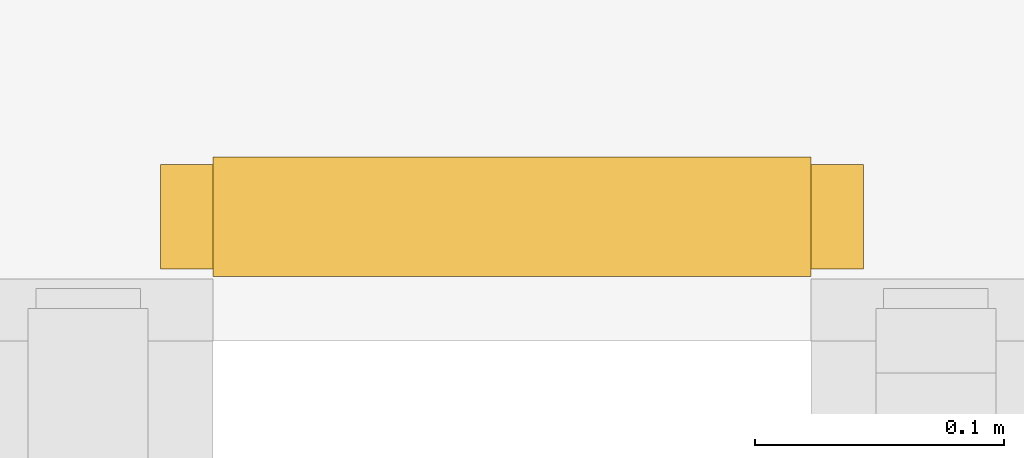
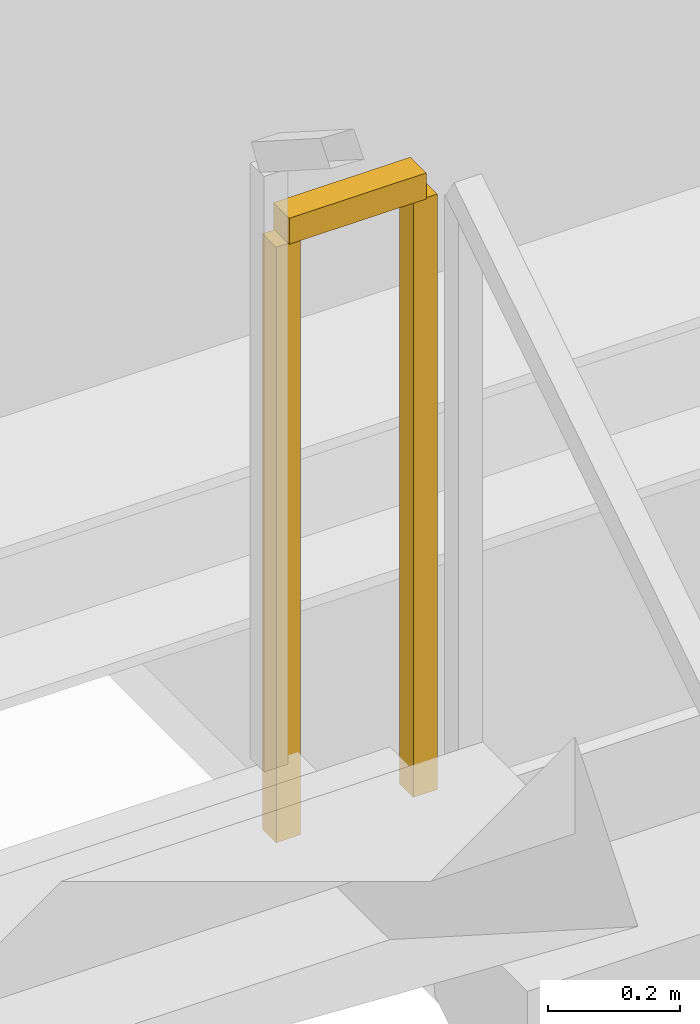
# One storey, part 16 of 17: 1 railing.
"""IFC4 building model written with IfcOpenShell, lengths in metres."""

from ifc_helpers import new_model, si_unit, direction, frame, origin, origin_2d, place, context, subcontext, project, spatial, rectangle, extrude, material, type_object, element, save


model = new_model("IFC4")

# Units and contexts
model_context = context("Model", 3, precision=1e-05, world=origin(), true_north=direction((0.0, 1.0)))
body_context = subcontext(model_context, "Body", "Model", "MODEL_VIEW")
ifc_project = project(units=[si_unit("LENGTHUNIT", "METRE"), si_unit("AREAUNIT", "SQUARE_METRE"), si_unit("VOLUMEUNIT", "CUBIC_METRE"), si_unit("PLANEANGLEUNIT", "RADIAN"), si_unit("MASSUNIT", "GRAM", prefix="KILO")], contexts=[model_context])

# Site, building, storey
site_placement = place(None, origin())
site = spatial("IfcSite", under=ifc_project, at=site_placement, CompositionType="ELEMENT")
building_placement = place(site_placement, origin())
building = spatial("IfcBuilding", under=site, at=building_placement, Name="Sumidabori Civic Tower", CompositionType="ELEMENT")
storey_placement = place(building_placement, frame((0.0, 0.0, 9.64990234375)))
storey = spatial("IfcBuildingStorey", under=building, at=storey_placement, Name="L02", CompositionType="ELEMENT", Elevation=9.64990234375)

# Railing
ifc_material = material(Name="Steel SN490", Category="steel")
railing_type = type_object("IfcRailingType", Name="RL-STAIR-GUARD", PredefinedType="GUARDRAIL", material=ifc_material)
railing_placement = place(storey_placement, frame((13.739990234375, 19.409912109375, 2.3251953125)))
element("IfcRailing", 1, at=railing_placement, inside=storey, type_object=railing_type, Name="L02 ST-2 stair guard 2", PredefinedType="GUARDRAIL", context=body_context, shape_type="SweptSolid", body=[
    extrude(rectangle(XDim=0.048095703125, YDim=0.048095703125, at=origin_2d()), frame((0.0, 0.0, 1.1259765625), z_axis=(-1.0, 0.0, 0.0), x_axis=(0.0, -1.0, 0.0)), (0.0, 0.0, 1.0), 0.239990234375),
    extrude(rectangle(XDim=0.0419921875, YDim=0.0419921875, at=origin_2d()), origin(), (0.0, 0.0, 1.0), 1.101806640625),
    extrude(rectangle(XDim=0.0419921875, YDim=0.0419921875, at=origin_2d()), frame((-0.239990234375, 0.0, 0.0)), (0.0, 0.0, 1.0), 1.101806640625),
])

save(model, "model.ifc")
